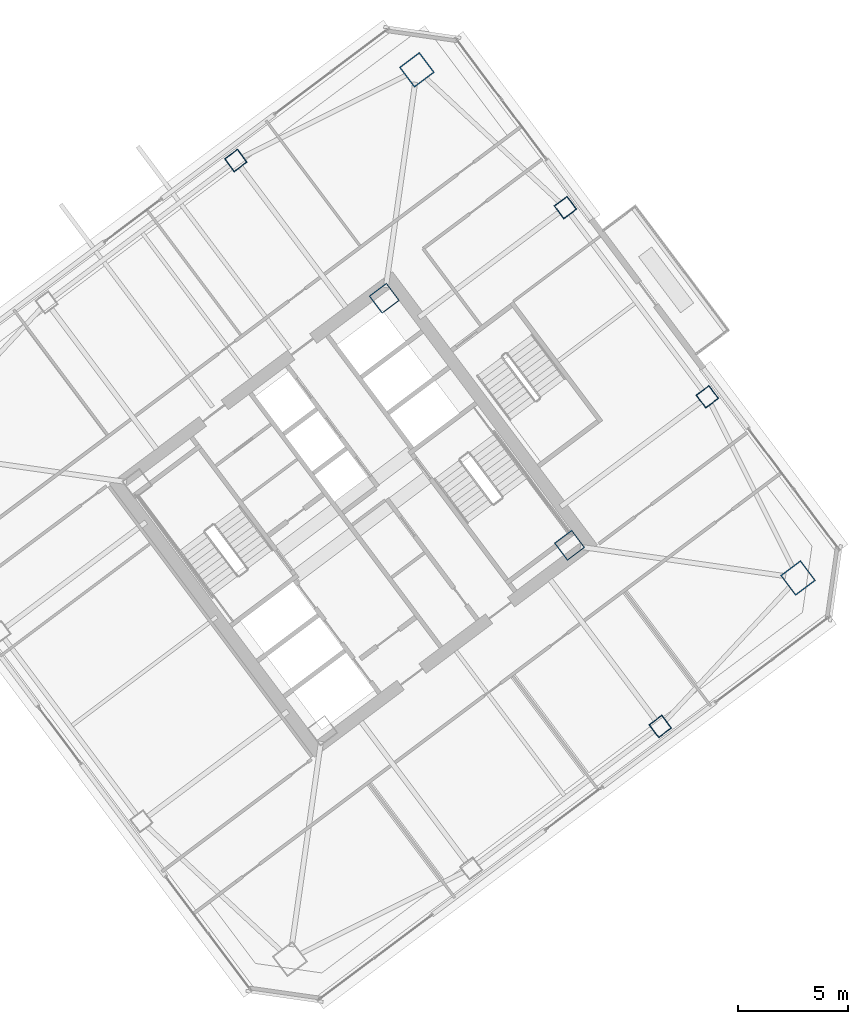
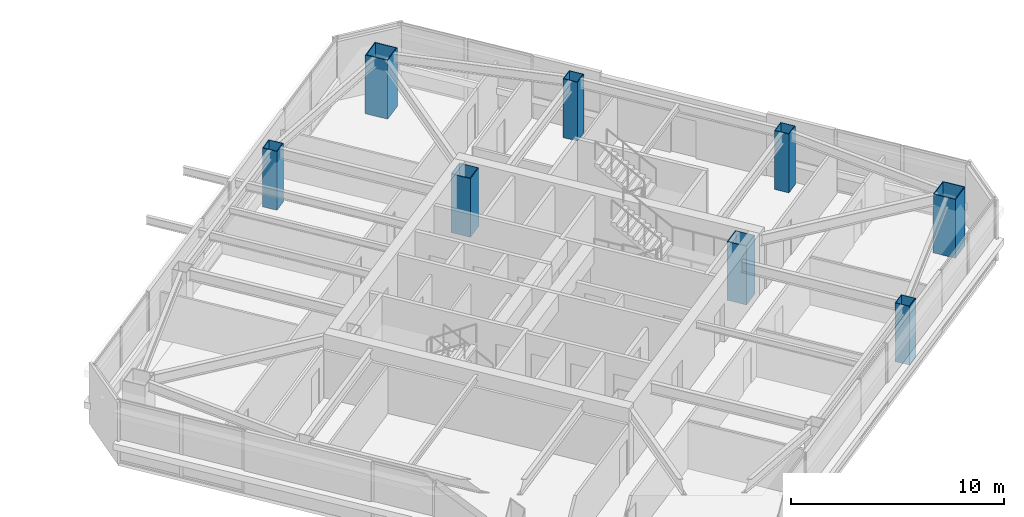
# One storey, part 2 of 43: 8 columns.
"""IFC4 building model written with IfcOpenShell, lengths in metres."""

from ifc_helpers import new_model, si_unit, direction, frame, origin, origin_2d, place, context, subcontext, project, spatial, hollow_rectangle, extrude, material, material_profile, profile_set, type_object, element, save


model = new_model("IFC4")

# Units and contexts
model_context = context("Model", 3, precision=1e-05, world=origin(), true_north=direction((0.0, 1.0)))
body_context = subcontext(model_context, "Body", "Model", "MODEL_VIEW")
ifc_project = project(units=[si_unit("LENGTHUNIT", "METRE"), si_unit("AREAUNIT", "SQUARE_METRE"), si_unit("VOLUMEUNIT", "CUBIC_METRE"), si_unit("PLANEANGLEUNIT", "RADIAN"), si_unit("MASSUNIT", "GRAM", prefix="KILO")], contexts=[model_context])

# Site, building, storey
site_placement = place(None, origin())
site = spatial("IfcSite", under=ifc_project, at=site_placement, CompositionType="ELEMENT")
building_placement = place(site_placement, origin())
building = spatial("IfcBuilding", under=site, at=building_placement, Name="Tashvorn Skyway Center", CompositionType="ELEMENT")
storey_placement = place(building_placement, frame((0.0, 0.0, 185.39990234375)))
storey = spatial("IfcBuildingStorey", under=building, at=storey_placement, Name="L50", CompositionType="ELEMENT", Elevation=185.39990234375)

# Columns
ifc_material = material(Name="Steel ASTM A572 Grade 50", Category="steel")
ifc_material_profile_1 = material_profile(ifc_material, hollow_rectangle(XDim=1.0, YDim=1.0, WallThickness=0.0400390625, at=origin_2d()), Name="BOX1000x1000x40")
ifc_profile_set_1 = profile_set([ifc_material_profile_1], Name="Steel ASTM A572 Grade 50")
column_type_1 = type_object("IfcColumnType", Name="COL-BOX1000x1000x40", PredefinedType="COLUMN", material=ifc_profile_set_1)
for number, where, z_axis, x_axis, name in (
    (1, (123.8701171875, 30.590087890625, 0.0), (0.0, 0.0, 1.0), (0.799999996291, 0.600000004945, 0.0), "Tower 2 L50 Core Corner Column CC-SE"),
    (2, (115.409912109375, 41.8701171875, 0.0), (0.0, 0.0, 1.0), (0.799999996291, 0.600000004945, 0.0), "Tower 2 L50 Core Corner Column CC-NE"),
):
    element("IfcColumn", number, at=place(storey_placement, frame(where, z_axis=z_axis, x_axis=x_axis)), inside=storey, type_object=column_type_1, Name=name, PredefinedType="COLUMN", context=body_context, shape_type="SweptSolid", body=[
        extrude(hollow_rectangle(XDim=1.0, YDim=1.0, WallThickness=0.0400390625, at=origin_2d()), origin(), (0.0, 0.0, 1.0), 3.3701171875),
    ])
ifc_material_profile_2 = material_profile(ifc_material, hollow_rectangle(XDim=1.14990234375, YDim=1.14990234375, WallThickness=0.044921875, at=origin_2d()), Name="BOX1150x1150x45")
ifc_profile_set_2 = profile_set([ifc_material_profile_2], Name="Steel ASTM A572 Grade 50")
column_type_2 = type_object("IfcColumnType", Name="COL-BOX1150x1150x45", PredefinedType="COLUMN", material=ifc_profile_set_2)
for number, where, z_axis, x_axis, name in (
    (3, (134.300048828125, 29.10009765625, 0.0), (0.0, 0.0, 1.0), (0.799999996291, 0.600000004945, 0.0), "Tower 2 L50 Mega-Column MC-SE"),
    (4, (116.89990234375, 52.300048828125, 0.0), (0.0, 0.0, 1.0), (0.799999996291, 0.600000004945, 0.0), "Tower 2 L50 Mega-Column MC-NE"),
):
    element("IfcColumn", number, at=place(storey_placement, frame(where, z_axis=z_axis, x_axis=x_axis)), inside=storey, type_object=column_type_2, Name=name, PredefinedType="COLUMN", context=body_context, shape_type="SweptSolid", body=[
        extrude(hollow_rectangle(XDim=1.14990234375, YDim=1.14990234375, WallThickness=0.044921875, at=origin_2d()), origin(), (0.0, 0.0, 1.0), 3.3701171875),
    ])
ifc_material_profile_3 = material_profile(ifc_material, hollow_rectangle(XDim=0.75, YDim=0.75, WallThickness=0.031982421875, at=origin_2d()), Name="BOX750x750x32")
ifc_profile_set_3 = profile_set([ifc_material_profile_3], Name="Steel ASTM A572 Grade 50")
column_type_3 = type_object("IfcColumnType", Name="COL-BOX750x750x32", PredefinedType="COLUMN", material=ifc_profile_set_3)
for number, where, z_axis, x_axis, name in (
    (5, (128.010009765625, 22.320068359375, 0.0), (0.0, 0.0, 1.0), (0.799999996291, 0.600000004945, 0.0), "Tower 2 L50 Perimeter Column FC-S2"),
    (6, (130.159912109375, 37.3701171875, 0.0), (0.0, 0.0, 1.0), (0.799999996291, 0.600000004945, 0.0), "Tower 2 L50 Perimeter Column FC-E1"),
    (7, (123.679931640625, 46.010009765625, 0.0), (0.0, 0.0, 1.0), (0.799999996291, 0.600000004945, 0.0), "Tower 2 L50 Perimeter Column FC-E2"),
    (8, (108.6298828125, 48.159912109375, 0.0), (0.0, 0.0, 1.0), (0.799999996291, 0.600000004945, 0.0), "Tower 2 L50 Perimeter Column FC-N1"),
):
    element("IfcColumn", number, at=place(storey_placement, frame(where, z_axis=z_axis, x_axis=x_axis)), inside=storey, type_object=column_type_3, Name=name, PredefinedType="COLUMN", context=body_context, shape_type="SweptSolid", body=[
        extrude(hollow_rectangle(XDim=0.75, YDim=0.75, WallThickness=0.031982421875, at=origin_2d()), origin(), (0.0, 0.0, 1.0), 3.3701171875),
    ])

save(model, "model.ifc")
